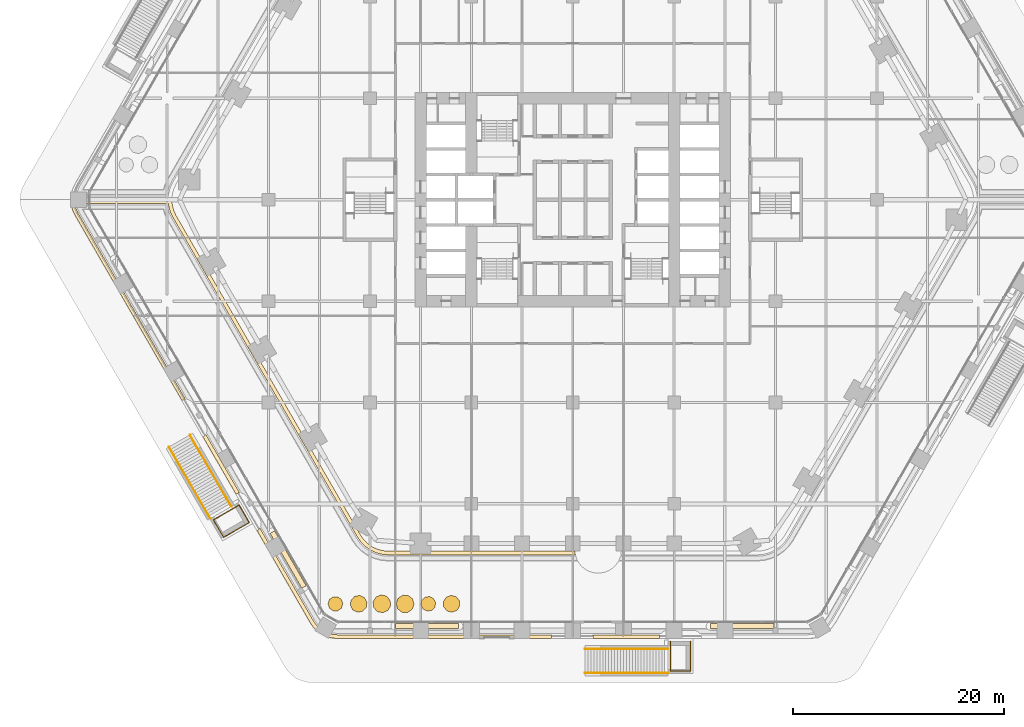
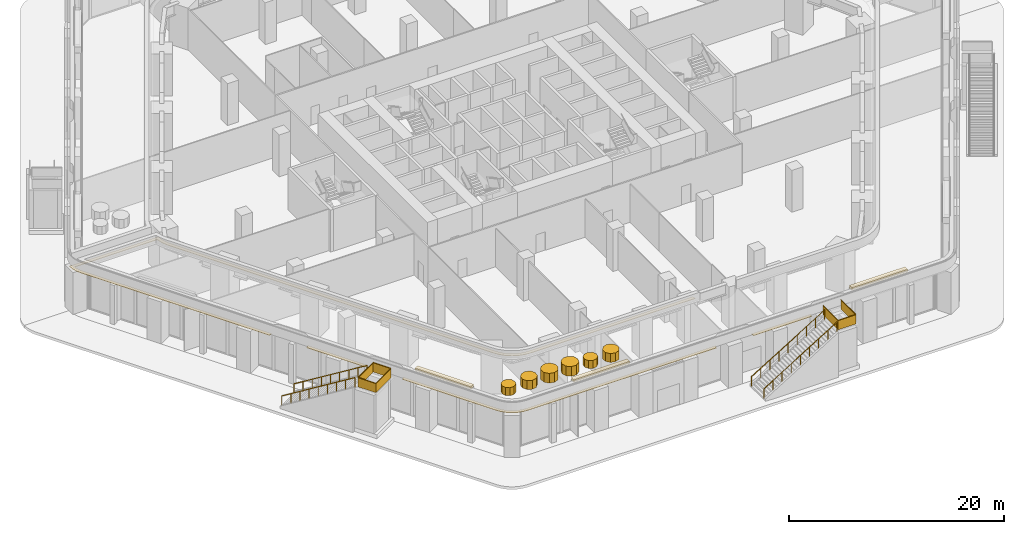
# One storey, part 28 of 34: 13 coverings, 6 railings.
"""IFC4 building model written with IfcOpenShell, lengths in metres."""

import ifcopenshell
import ifcopenshell.guid

model = None  # the IFC model being written
_history = None  # IfcOwnerHistory: only IFC2X3 demands one
_inside = {}  # id of a spatial element -> (the spatial element, [elements in it])
_under = {}  # id of a project, library or spatial element -> (it, [spatial elements below it])
_declared = {}  # id of a project -> (the project, [libraries it declares])
_typed = {}  # id of a type object -> (the type object, [elements of that type])
_made_of = {}  # id of a material, layer set ... -> (it, [elements and type objects made of it])


def new_model(schema):
    """Start an empty IFC model of exactly this schema.

    Asked for "IFC4X3", IfcOpenShell would pick the latest addendum, in which some entities
    have other attributes; the version numbers below select the first issue.
    IFC2X3 requires an IfcOwnerHistory on every rooted entity: one is made here for all.
    """
    global model, _history
    if schema == "IFC4X3":
        model = ifcopenshell.file(schema_version=(4, 3, 0, 0))
    else:
        model = ifcopenshell.file(schema=schema)
    _inside.clear()
    _under.clear()
    _declared.clear()
    _typed.clear()
    _made_of.clear()
    _history = None
    if model.schema == "IFC2X3":
        org = make("IfcOrganization", Name="unknown")
        user = make(
            "IfcPersonAndOrganization",
            ThePerson=make("IfcPerson", FamilyName="unknown"),
            TheOrganization=org,
        )
        app = make(
            "IfcApplication",
            ApplicationDeveloper=org,
            Version="unknown",
            ApplicationFullName="unknown",
            ApplicationIdentifier="unknown",
        )
        _history = make(
            "IfcOwnerHistory",
            OwningUser=user,
            OwningApplication=app,
            ChangeAction="ADDED",
            CreationDate=0,
        )
    return model


def make(cls, **values):
    """One entity of the class cls with the attributes given. An attribute that is None is left unset."""
    return model.create_entity(
        cls, **{name: value for name, value in values.items() if value is not None}
    )


def rooted(cls, **values):
    """An entity with a GlobalId (a new one), such as an element, a storey or a relation."""
    return make(cls, GlobalId=ifcopenshell.guid.new(), OwnerHistory=_history, **values)


def si_unit(unit_type, name, prefix=None):
    """IfcSIUnit, for example si_unit("LENGTHUNIT", "METRE", prefix="MILLI")."""
    return make("IfcSIUnit", UnitType=unit_type, Prefix=prefix, Name=name)


def assignment(units):
    """IfcUnitAssignment: the units of a project."""
    return None if units is None else make("IfcUnitAssignment", Units=units)


def point(xyz):
    """IfcCartesianPoint."""
    return None if xyz is None else make("IfcCartesianPoint", Coordinates=xyz)


def direction(xyz):
    """IfcDirection."""
    return None if xyz is None else make("IfcDirection", DirectionRatios=xyz)


def frame(location, z_axis=None, x_axis=None):
    """IfcAxis2Placement3D, a coordinate frame: its origin and axes. An axis left out is left unset."""
    return make(
        "IfcAxis2Placement3D",
        Location=point(location),
        Axis=direction(z_axis),
        RefDirection=direction(x_axis),
    )


def frame_2d(location, x_axis=None):
    """IfcAxis2Placement2D, a coordinate frame in the plane: its origin and x axis."""
    return make(
        "IfcAxis2Placement2D", Location=point(location), RefDirection=direction(x_axis)
    )


def origin():
    """The frame at (0, 0, 0) with its axes left unset."""
    return frame((0.0, 0.0, 0.0))


def origin_2d():
    """The frame at (0, 0) in the plane with its x axis left unset."""
    return frame_2d((0.0, 0.0))


def place(relative_to, where):
    """IfcLocalPlacement: puts the frame where relative to a parent placement (None: the world)."""
    return make(
        "IfcLocalPlacement", PlacementRelTo=relative_to, RelativePlacement=where
    )


def context(
    kind, dimensions, precision=None, world=None, true_north=None, identifier=None
):
    """IfcGeometricRepresentationContext, for example the 3D "Model" context."""
    return make(
        "IfcGeometricRepresentationContext",
        ContextIdentifier=identifier,
        ContextType=kind,
        CoordinateSpaceDimension=dimensions,
        Precision=precision,
        WorldCoordinateSystem=world,
        TrueNorth=true_north,
    )


def subcontext(parent, identifier, kind, view, scale=None):
    """IfcGeometricRepresentationSubContext, for example "Body" below "Model"."""
    return make(
        "IfcGeometricRepresentationSubContext",
        ContextIdentifier=identifier,
        ContextType=kind,
        ParentContext=parent,
        TargetScale=scale,
        TargetView=view,
    )


def project(units=None, contexts=None):
    """IfcProject with its units and contexts."""
    return rooted(
        "IfcProject",
        Name="project",
        RepresentationContexts=contexts,
        UnitsInContext=assignment(units),
    )


def spatial(cls, under=None, at=None, **own):
    """A site, building, storey or space (cls), placed at a placement, below another one or the project."""
    s = rooted(cls, ObjectPlacement=at, **own)
    if under is not None:
        _under.setdefault(under.id(), (under, []))[1].append(s)
    return s


def polyline(points):
    """IfcPolyline through the points."""
    return make("IfcPolyline", Points=[point(p) for p in points])


def profile(cls, at=None, kind="AREA", **sizes):
    """A parametric profile (cls). Its sizes go by their IFC names, for example OverallWidth=200.0."""
    return make(cls, ProfileType=kind, Position=at, **sizes)


def rectangle(**sizes):
    """IfcRectangleProfileDef."""
    return profile("IfcRectangleProfileDef", **sizes)


def circle(**sizes):
    """IfcCircleProfileDef."""
    return profile("IfcCircleProfileDef", **sizes)


def outline(outer, holes=None, kind="AREA"):
    """IfcArbitraryClosedProfileDef: a profile drawn as a closed curve; with holes, ...WithVoids."""
    if holes is None:
        return make("IfcArbitraryClosedProfileDef", ProfileType=kind, OuterCurve=outer)
    return make(
        "IfcArbitraryProfileDefWithVoids",
        ProfileType=kind,
        OuterCurve=outer,
        InnerCurves=holes,
    )


def extrude(swept, where, along, depth):
    """IfcExtrudedAreaSolid: the profile swept, set in the frame where, extruded along a direction by depth."""
    return make(
        "IfcExtrudedAreaSolid",
        SweptArea=swept,
        Position=where,
        ExtrudedDirection=direction(along),
        Depth=depth,
    )


def shape(context_of_items, identifier, shape_type, items):
    """IfcShapeRepresentation: the items that make up one representation, for example the "Body"."""
    return make(
        "IfcShapeRepresentation",
        ContextOfItems=context_of_items,
        RepresentationIdentifier=identifier,
        RepresentationType=shape_type,
        Items=items,
    )


def material(Name=None, Category=None):
    """IfcMaterial."""
    return make("IfcMaterial", Name=Name, Category=Category)


def layer(
    of_material, thickness, ventilated=None, Name=None, Category=None, Priority=None
):
    """IfcMaterialLayer: one layer of a wall or slab, of a material (None: an air gap)."""
    return make(
        "IfcMaterialLayer",
        Material=of_material,
        LayerThickness=thickness,
        IsVentilated=ventilated,
        Name=Name,
        Category=Category,
        Priority=Priority,
    )


def layer_set(layers, Name=None):
    """IfcMaterialLayerSet."""
    return make("IfcMaterialLayerSet", MaterialLayers=layers, LayerSetName=Name)


def made_of(thing, what):
    """Note that an element or type object is made of a material, layer set ...; save() writes the relation."""
    if what is not None:
        _made_of.setdefault(what.id(), (what, []))[1].append(thing)
    return thing


def type_object(cls, material=None, **own):
    """A type object (cls), such as IfcWallType, which elements share."""
    return made_of(rooted(cls, **own), material)


def element(
    cls,
    number,
    at=None,
    inside=None,
    cuts=None,
    type_object=None,
    material=None,
    context=None,
    identifier="Body",
    shape_type=None,
    held_by="IfcProductDefinitionShape",
    body=None,
    shapes=None,
    **own,
):
    """One element of the class cls, such as IfcWall. Its Tag is "e" and its number.

    at: its placement. inside: the storey or other place that contains it. cuts: it is an
    opening in that element (IfcRelVoidsElement). A single representation is given by context,
    identifier, shape_type and body (its items); several are given by shapes. held_by: the class
    of the entity that holds the representations. save() writes the other relations.
    """
    e = rooted(cls, Tag="e%d" % number, ObjectPlacement=at, **own)
    if body is not None:
        shapes = [shape(context, identifier, shape_type, body)]
    if shapes is not None:
        e.Representation = make(held_by, Representations=shapes)
    if inside is not None:
        _inside.setdefault(inside.id(), (inside, []))[1].append(e)
    if cuts is not None:
        rooted(
            "IfcRelVoidsElement", RelatingBuildingElement=cuts, RelatedOpeningElement=e
        )
    if type_object is not None:
        _typed.setdefault(type_object.id(), (type_object, []))[1].append(e)
    return made_of(e, material)


def aggregate(whole, parts):
    """IfcRelAggregates: a whole, such as a stair, and the parts it consists of."""
    return rooted("IfcRelAggregates", RelatingObject=whole, RelatedObjects=parts)


def save(model, path):
    """Write the relations noted so far, then the file.

    IfcRelAggregates (storeys below a building ...), IfcRelContainedInSpatialStructure (elements
    in a storey), IfcRelDefinesByType, IfcRelAssociatesMaterial and IfcRelDeclares: one each for
    every whole, place, type object, material and project.
    """
    for whole, parts in _under.values():
        aggregate(whole, parts)
    for where, things in _inside.values():
        rooted(
            "IfcRelContainedInSpatialStructure",
            RelatedElements=things,
            RelatingStructure=where,
        )
    for kind, things in _typed.values():
        rooted("IfcRelDefinesByType", RelatedObjects=things, RelatingType=kind)
    for what, things in _made_of.values():
        rooted("IfcRelAssociatesMaterial", RelatedObjects=things, RelatingMaterial=what)
    for by, libraries in _declared.values():
        rooted("IfcRelDeclares", RelatingContext=by, RelatedDefinitions=libraries)
    model.write(path)


model = new_model("IFC4")

# Units and contexts
model_context = context("Model", 3, precision=1e-05, world=origin(), true_north=direction((0.0, 1.0)))
body_context = subcontext(model_context, "Body", "Model", "MODEL_VIEW")
ifc_project = project(units=[si_unit("LENGTHUNIT", "METRE"), si_unit("AREAUNIT", "SQUARE_METRE"), si_unit("VOLUMEUNIT", "CUBIC_METRE"), si_unit("PLANEANGLEUNIT", "RADIAN"), si_unit("MASSUNIT", "GRAM", prefix="KILO")], contexts=[model_context])

# Site, building, storey
site_placement = place(None, origin())
site = spatial("IfcSite", under=ifc_project, at=site_placement, CompositionType="ELEMENT")
building_placement = place(site_placement, origin())
building = spatial("IfcBuilding", under=site, at=building_placement, Name="Kolab Exchange Tower", CompositionType="ELEMENT")
storey_placement = place(building_placement, frame((0.0, 0.0, 12.39990234375)))
storey = spatial("IfcBuildingStorey", under=building, at=storey_placement, Name="L02", CompositionType="ELEMENT", Elevation=12.39990234375)

# Coverings
ifc_material_1 = material(Name="Flowering shrub planting", Category="soil")
ifc_layer_1 = layer(ifc_material_1, 1.0)
ifc_layer_set_1 = layer_set([ifc_layer_1], Name="Flowering shrub planting")
covering_type_1 = type_object("IfcCoveringType", Name="FLOWERING SHRUB PLANTING", PredefinedType="USERDEFINED", material=ifc_layer_set_1)
covering_1_placement = place(storey_placement, frame((0.0, 0.0, 5.25)))
element("IfcCovering", 1, at=covering_1_placement, inside=storey, type_object=covering_type_1, Name="Flowering shrub", ObjectType="PLANTING", PredefinedType="USERDEFINED", context=body_context, shape_type="SweptSolid", body=[
    extrude(outline(polyline([(-19.490966796875, -38.10498046875), (-19.734130859375, -37.674560546875), (-20.18408203125, -37.46923828125), (-20.66845703125, -37.5673828125), (-21.0029296875, -37.931640625), (-21.05908203125, -38.4228515625), (-20.81591796875, -38.853515625), (-20.3662109375, -39.058837890625), (-19.881591796875, -38.960693359375), (-19.54736328125, -38.59619140625), (-19.490966796875, -38.10498046875)])), origin(), (0.0, 0.0, 1.0), 1.0),
])
covering_2_placement = place(storey_placement, frame((0.0, 0.0, 5.25)))
element("IfcCovering", 2, at=covering_2_placement, inside=storey, type_object=covering_type_1, Name="Flowering shrub", ObjectType="PLANTING", PredefinedType="USERDEFINED", context=body_context, shape_type="SweptSolid", body=[
    extrude(outline(polyline([(-11.04296875, -37.5908203125), (-11.521240234375, -37.46533203125), (-11.981689453125, -37.64501953125), (-12.2490234375, -38.06103515625), (-12.220458984375, -38.554443359375), (-11.907470703125, -38.937255859375), (-11.42919921875, -39.062744140625), (-10.968505859375, -38.883056640625), (-10.701416015625, -38.467041015625), (-10.729736328125, -37.973388671875), (-11.04296875, -37.5908203125)])), origin(), (0.0, 0.0, 1.0), 1.0),
])

# Railings
ifc_material_2 = material(Name="Steel S235", Category="steel")
railing_type = type_object("IfcRailingType", Name="GUARD 1100 GLASS BALUSTRADE AND STEEL TOP RAIL", PredefinedType="GUARDRAIL", material=ifc_material_2)
for number, where, name in (
    (3, (1.159912109375, -42.529296875, 0.172607421875), "Stair guard"),
    (4, (1.159912109375, -44.809326171875, 0.172607421875), "Stair guard"),
):
    element("IfcRailing", number, at=place(storey_placement, frame(where)), inside=storey, type_object=railing_type, Name=name, PredefinedType="GUARDRAIL", context=body_context, shape_type="SweptSolid", body=[
        extrude(circle(Radius=0.02490234375, at=origin_2d()), frame((0.0, 0.0, 1.0751953125), z_axis=(0.851526275914, 0.0, 0.524311931419), x_axis=(0.0, 1.0, 0.0)), (0.0, 0.0, 1.0), 9.20703125),
        extrude(circle(Radius=0.02001953125, at=origin_2d()), origin(), (0.0, 0.0, 1.0), 1.050048828125),
        extrude(circle(Radius=0.02001953125, at=origin_2d()), frame((0.97998046875, 0.0, 0.603515625)), (0.0, 0.0, 1.0), 1.050048828125),
        extrude(circle(Radius=0.02001953125, at=origin_2d()), frame((1.9599609375, 0.0, 1.206787109375)), (0.0, 0.0, 1.0), 1.050048828125),
        extrude(circle(Radius=0.02001953125, at=origin_2d()), frame((2.93994140625, 0.0, 1.810302734375)), (0.0, 0.0, 1.0), 1.050048828125),
        extrude(circle(Radius=0.02001953125, at=origin_2d()), frame((3.919921875, 0.0, 2.41357421875)), (0.0, 0.0, 1.0), 1.050048828125),
        extrude(circle(Radius=0.02001953125, at=origin_2d()), frame((4.900146484375, 0.0, 3.01708984375)), (0.0, 0.0, 1.0), 1.050048828125),
        extrude(circle(Radius=0.02001953125, at=origin_2d()), frame((5.880126953125, 0.0, 3.62060546875)), (0.0, 0.0, 1.0), 1.050048828125),
        extrude(circle(Radius=0.02001953125, at=origin_2d()), frame((6.860107421875, 0.0, 4.223876953125)), (0.0, 0.0, 1.0), 1.050048828125),
        extrude(circle(Radius=0.02001953125, at=origin_2d()), frame((7.840087890625, 0.0, 4.827392578125)), (0.0, 0.0, 1.0), 1.050048828125),
    ])
railing_1_placement = place(storey_placement, frame((11.14990234375, -41.8193359375, 5.0)))
element("IfcRailing", 5, at=railing_1_placement, inside=storey, type_object=railing_type, Name="Landing guard", PredefinedType="GUARDRAIL", context=body_context, shape_type="SweptSolid", body=[
    extrude(rectangle(XDim=0.05, YDim=0.05, at=origin_2d()), frame((0.0, 0.0, 1.0751953125), z_axis=(0.0, -1.0, 0.0), x_axis=(1.0, 0.0, 0.0)), (0.0, 0.0, 1.0), 2.7998046875),
    extrude(rectangle(XDim=0.012, YDim=1.05009765625, at=frame_2d((0.0, 0.525146484375))), frame((0.0, 0.0, 0.0), z_axis=(0.0, -1.0, 0.0), x_axis=(1.0, 0.0, 0.0)), (0.0, 0.0, 1.0), 2.7998046875),
    extrude(rectangle(XDim=0.05, YDim=0.05, at=origin_2d()), frame((0.0, -2.7998046875, 1.0751953125), z_axis=(-1.0, 0.0, 0.0), x_axis=(0.0, -1.0, 0.0)), (0.0, 0.0, 1.0), 1.90478515625),
    extrude(rectangle(XDim=0.012, YDim=1.05009765625, at=frame_2d((0.0, 0.525146484375))), frame((0.0, -2.7998046875, 0.0), z_axis=(-1.0, 0.0, 0.0), x_axis=(0.0, -1.0, 0.0)), (0.0, 0.0, 1.0), 1.90478515625),
    extrude(rectangle(XDim=0.05, YDim=0.05, at=origin_2d()), frame((-1.90478515625, -2.7998046875, 1.0751953125), z_axis=(0.0, 1.0, 0.0), x_axis=(-1.0, 0.0, 0.0)), (0.0, 0.0, 1.0), 2.7998046875),
    extrude(rectangle(XDim=0.012, YDim=1.05009765625, at=frame_2d((0.0, 0.525146484375))), frame((-1.90478515625, -2.7998046875, 0.0), z_axis=(0.0, 1.0, 0.0), x_axis=(-1.0, 0.0, 0.0)), (0.0, 0.0, 1.0), 2.7998046875),
])
railing_2_placement = place(storey_placement, frame((-36.25146484375, -22.269287109375, 0.172607421875)))
element("IfcRailing", 6, at=railing_2_placement, inside=storey, type_object=railing_type, Name="Stair guard", PredefinedType="GUARDRAIL", context=body_context, shape_type="SweptSolid", body=[
    extrude(circle(Radius=0.02490234375, at=origin_2d()), frame((0.0, 0.0, 1.0751953125), z_axis=(0.425779602582, -0.737431073539, 0.524315879794), x_axis=(0.866013415921, 0.500020763015, 0.0)), (0.0, 0.0, 1.0), 9.20703125),
    extrude(circle(Radius=0.02001953125, at=origin_2d()), origin(), (0.0, 0.0, 1.0), 1.050048828125),
    extrude(circle(Radius=0.02001953125, at=origin_2d()), frame((0.489990234375, -0.8486328125, 0.603515625)), (0.0, 0.0, 1.0), 1.050048828125),
    extrude(circle(Radius=0.02001953125, at=origin_2d()), frame((0.97998046875, -1.697265625, 1.206787109375)), (0.0, 0.0, 1.0), 1.050048828125),
    extrude(circle(Radius=0.02001953125, at=origin_2d()), frame((1.469970703125, -2.546142578125, 1.810302734375)), (0.0, 0.0, 1.0), 1.050048828125),
    extrude(circle(Radius=0.02001953125, at=origin_2d()), frame((1.9599609375, -3.394775390625, 2.41357421875)), (0.0, 0.0, 1.0), 1.050048828125),
    extrude(circle(Radius=0.02001953125, at=origin_2d()), frame((2.4501953125, -4.243408203125, 3.01708984375)), (0.0, 0.0, 1.0), 1.050048828125),
    extrude(circle(Radius=0.02001953125, at=origin_2d()), frame((2.940185546875, -5.09228515625, 3.62060546875)), (0.0, 0.0, 1.0), 1.050048828125),
    extrude(circle(Radius=0.02001953125, at=origin_2d()), frame((3.43017578125, -5.94091796875, 4.223876953125)), (0.0, 0.0, 1.0), 1.050048828125),
    extrude(circle(Radius=0.02001953125, at=origin_2d()), frame((3.920166015625, -6.78955078125, 4.827392578125)), (0.0, 0.0, 1.0), 1.050048828125),
])
railing_3_placement = place(storey_placement, frame((-38.225830078125, -23.4091796875, 0.172607421875)))
element("IfcRailing", 7, at=railing_3_placement, inside=storey, type_object=railing_type, Name="Stair guard", PredefinedType="GUARDRAIL", context=body_context, shape_type="SweptSolid", body=[
    extrude(circle(Radius=0.02490234375, at=origin_2d()), frame((0.0, 0.0, 1.0751953125), z_axis=(0.425757892633, -0.737439399235, 0.524321799391), x_axis=(0.86602690036, 0.499997407846, 0.0)), (0.0, 0.0, 1.0), 9.20703125),
    extrude(circle(Radius=0.02001953125, at=origin_2d()), origin(), (0.0, 0.0, 1.0), 1.050048828125),
    extrude(circle(Radius=0.02001953125, at=origin_2d()), frame((0.489990234375, -0.8486328125, 0.603515625)), (0.0, 0.0, 1.0), 1.050048828125),
    extrude(circle(Radius=0.02001953125, at=origin_2d()), frame((0.97998046875, -1.697265625, 1.206787109375)), (0.0, 0.0, 1.0), 1.050048828125),
    extrude(circle(Radius=0.02001953125, at=origin_2d()), frame((1.469970703125, -2.546142578125, 1.810302734375)), (0.0, 0.0, 1.0), 1.050048828125),
    extrude(circle(Radius=0.02001953125, at=origin_2d()), frame((1.9599609375, -3.394775390625, 2.41357421875)), (0.0, 0.0, 1.0), 1.050048828125),
    extrude(circle(Radius=0.02001953125, at=origin_2d()), frame((2.449951171875, -4.243408203125, 3.01708984375)), (0.0, 0.0, 1.0), 1.050048828125),
    extrude(circle(Radius=0.02001953125, at=origin_2d()), frame((2.93994140625, -5.09228515625, 3.62060546875)), (0.0, 0.0, 1.0), 1.050048828125),
    extrude(circle(Radius=0.02001953125, at=origin_2d()), frame((3.429931640625, -5.94091796875, 4.223876953125)), (0.0, 0.0, 1.0), 1.050048828125),
    extrude(circle(Radius=0.02001953125, at=origin_2d()), frame((3.919921875, -6.78955078125, 4.827392578125)), (0.0, 0.0, 1.0), 1.050048828125),
])
railing_4_placement = place(storey_placement, frame((-30.6416015625, -30.565673828125, 5.0)))
element("IfcRailing", 8, at=railing_4_placement, inside=storey, type_object=railing_type, Name="Landing guard", PredefinedType="GUARDRAIL", context=body_context, shape_type="SweptSolid", body=[
    extrude(rectangle(XDim=0.05, YDim=0.05, at=origin_2d()), frame((0.0, 0.0, 1.0751953125), z_axis=(-0.865996816683, -0.500049511043, 0.0), x_axis=(0.500049511043, -0.865996816683, 0.0)), (0.0, 0.0, 1.0), 2.800048828125),
    extrude(rectangle(XDim=0.012, YDim=1.05009765625, at=frame_2d((0.0, 0.525146484375))), frame((0.0, 0.0, 0.0), z_axis=(-0.865996816683, -0.500049511043, 0.0), x_axis=(0.500049511043, -0.865996816683, 0.0)), (0.0, 0.0, 1.0), 2.800048828125),
    extrude(rectangle(XDim=0.05, YDim=0.05, at=origin_2d()), frame((-2.4248046875, -1.400146484375, 1.0751953125), z_axis=(-0.499929534118, 0.866066083458, 0.0), x_axis=(-0.866066083458, -0.499929534118, 0.0)), (0.0, 0.0, 1.0), 1.905029296875),
    extrude(rectangle(XDim=0.012, YDim=1.05009765625, at=frame_2d((0.0, 0.525146484375))), frame((-2.4248046875, -1.400146484375, 0.0), z_axis=(-0.499929534118, 0.866066083458, 0.0), x_axis=(-0.866066083458, -0.499929534118, 0.0)), (0.0, 0.0, 1.0), 1.905029296875),
    extrude(rectangle(XDim=0.05, YDim=0.05, at=origin_2d()), frame((-3.377197265625, 0.249755859375, 1.0751953125), z_axis=(0.866034573852, 0.49998411664, 0.0), x_axis=(-0.49998411664, 0.866034573852, 0.0)), (0.0, 0.0, 1.0), 2.7998046875),
    extrude(rectangle(XDim=0.012, YDim=1.05009765625, at=frame_2d((0.0, 0.525146484375))), frame((-3.377197265625, 0.249755859375, 0.0), z_axis=(0.866034573852, 0.49998411664, 0.0), x_axis=(-0.49998411664, 0.866034573852, 0.0)), (0.0, 0.0, 1.0), 2.7998046875),
    extrude(rectangle(XDim=0.05, YDim=0.05, at=origin_2d()), frame((-0.952392578125, 1.649658203125, 1.0751953125), z_axis=(0.499985026433, -0.866034048605, 0.0), x_axis=(0.866034048605, 0.499985026433, 0.0)), (0.0, 0.0, 1.0), 1.90478515625),
    extrude(rectangle(XDim=0.012, YDim=1.05009765625, at=frame_2d((0.0, 0.525146484375))), frame((-0.952392578125, 1.649658203125, 0.0), z_axis=(0.499985026433, -0.866034048605, 0.0), x_axis=(0.866034048605, 0.499985026433, 0.0)), (0.0, 0.0, 1.0), 1.90478515625),
])

# Coverings
ifc_material_3 = material(Name="Dense shrub planting", Category="soil")
ifc_layer_2 = layer(ifc_material_3, 1.39990234375)
ifc_layer_set_2 = layer_set([ifc_layer_2], Name="Dense shrub planting")
covering_type_2 = type_object("IfcCoveringType", Name="PLANTED TRELLIS SCREEN AND SHRUB BED", PredefinedType="USERDEFINED", material=ifc_layer_set_2)
covering_3_placement = place(storey_placement, frame((0.0, 0.0, 5.25)))
element("IfcCovering", 9, at=covering_3_placement, inside=storey, type_object=covering_type_2, Name="Shrub bed", ObjectType="PLANTING", PredefinedType="USERDEFINED", context=body_context, shape_type="SweptSolid", body=[
    extrude(outline(polyline([(-21.775146484375, -38.263916015625), (-21.908935546875, -37.8525390625), (-22.2587890625, -37.598388671875), (-22.69140625, -37.598388671875), (-23.04150390625, -37.8525390625), (-23.175048828125, -38.263916015625), (-23.04150390625, -38.675537109375), (-22.69140625, -38.9296875), (-22.2587890625, -38.9296875), (-21.908935546875, -38.675537109375), (-21.775146484375, -38.263916015625)])), origin(), (0.0, 0.0, 1.0), 0.900146484375),
])
covering_4_placement = place(storey_placement, frame((0.0, 0.0, 5.25)))
element("IfcCovering", 10, at=covering_4_placement, inside=storey, type_object=covering_type_2, Name="Shrub bed", ObjectType="PLANTING", PredefinedType="USERDEFINED", context=body_context, shape_type="SweptSolid", body=[
    extrude(outline(polyline([(-17.292236328125, -37.93310546875), (-17.63623046875, -37.5361328125), (-18.14794921875, -37.417236328125), (-18.6318359375, -37.621826171875), (-18.903076171875, -38.071533203125), (-18.85791015625, -38.594970703125), (-18.513916015625, -38.991943359375), (-18.002197265625, -39.11083984375), (-17.518310546875, -38.90625), (-17.2470703125, -38.456298828125), (-17.292236328125, -37.93310546875)])), origin(), (0.0, 0.0, 1.0), 1.10009765625),
])
covering_5_placement = place(storey_placement, frame((0.0, 0.0, 5.25)))
element("IfcCovering", 11, at=covering_5_placement, inside=storey, type_object=covering_type_2, Name="Shrub bed", ObjectType="PLANTING", PredefinedType="USERDEFINED", context=body_context, shape_type="SweptSolid", body=[
    extrude(outline(polyline([(-15.173583984375, -37.7841796875), (-15.589599609375, -37.46337890625), (-16.11474609375, -37.448486328125), (-16.54833984375, -37.7451171875), (-16.724853515625, -38.239990234375), (-16.57666015625, -38.743896484375), (-16.16064453125, -39.064697265625), (-15.635498046875, -39.07958984375), (-15.201904296875, -38.782958984375), (-15.025390625, -38.2880859375), (-15.173583984375, -37.7841796875)])), origin(), (0.0, 0.0, 1.0), 1.10009765625),
])
covering_6_placement = place(storey_placement, frame((0.0, 0.0, 5.25)))
element("IfcCovering", 12, at=covering_6_placement, inside=storey, type_object=covering_type_2, Name="Shrub bed", ObjectType="PLANTING", PredefinedType="USERDEFINED", context=body_context, shape_type="SweptSolid", body=[
    extrude(outline(polyline([(-13.1875, -37.761962890625), (-13.57568359375, -37.571044921875), (-14.001953125, -37.64501953125), (-14.303466796875, -37.955322265625), (-14.36474609375, -38.383544921875), (-14.162841796875, -38.76611328125), (-13.7744140625, -38.95703125), (-13.34814453125, -38.883056640625), (-13.046875, -38.57275390625), (-12.9853515625, -38.14453125), (-13.1875, -37.761962890625)])), origin(), (0.0, 0.0, 1.0), 0.900146484375),
])
ifc_material_4 = material(Name="Planting soil and turf", Category="soil")
ifc_layer_3 = layer(ifc_material_4, 0.25)
ifc_layer_set_3 = layer_set([ifc_layer_3], Name="Planting soil and turf")
covering_type_3 = type_object("IfcCoveringType", Name="PLANTING SOIL AND TURF 250", PredefinedType="USERDEFINED", material=ifc_layer_set_3)
covering_7_placement = place(storey_placement, frame((0.0, 0.0, 5.7001953125)))
element("IfcCovering", 13, at=covering_7_placement, inside=storey, type_object=covering_type_3, Name="Planting soil and turf", ObjectType="PLANTING", PredefinedType="USERDEFINED", context=body_context, shape_type="SweptSolid", body=[
    extrude(outline(polyline([(-16.80615234375, -40.609130859375), (-16.80615234375, -40.129150390625), (-10.80615234375, -40.129150390625), (-10.80615234375, -40.609130859375), (-16.80615234375, -40.609130859375)])), origin(), (0.0, 0.0, 1.0), 0.2998046875),
])
covering_8_placement = place(storey_placement, frame((0.0, 0.0, 5.7001953125)))
element("IfcCovering", 14, at=covering_8_placement, inside=storey, type_object=covering_type_3, Name="Planting soil and turf", ObjectType="PLANTING", PredefinedType="USERDEFINED", context=body_context, shape_type="SweptSolid", body=[
    extrude(outline(polyline([(13.032958984375, -40.609130859375), (13.032958984375, -40.129150390625), (19.032958984375, -40.129150390625), (19.032958984375, -40.609130859375), (13.032958984375, -40.609130859375)])), origin(), (0.0, 0.0, 1.0), 0.2998046875),
])
covering_9_placement = place(storey_placement, frame((0.0, 0.0, 5.7001953125)))
element("IfcCovering", 15, at=covering_9_placement, inside=storey, type_object=covering_type_3, Name="Planting soil and turf", ObjectType="PLANTING", PredefinedType="USERDEFINED", context=body_context, shape_type="SweptSolid", body=[
    extrude(outline(polyline([(-28.652099609375, -31.591552734375), (-28.236572265625, -31.3515625), (-25.236572265625, -36.547607421875), (-25.652099609375, -36.78759765625), (-28.652099609375, -31.591552734375)])), origin(), (0.0, 0.0, 1.0), 0.2998046875),
])
ifc_material_5 = material(Name="Limestone coping", Category="masonry")
ifc_layer_4 = layer(ifc_material_5, 0.050048828125)
ifc_layer_set_4 = layer_set([ifc_layer_4], Name="Limestone coping")
covering_type_4 = type_object("IfcCoveringType", Name="TERRACE EDGE BAND LIMESTONE 50", PredefinedType="CLADDING", material=ifc_layer_set_4)
covering_10_placement = place(storey_placement, frame((0.0, 0.0, 5.0)))
element("IfcCovering", 16, at=covering_10_placement, inside=storey, type_object=covering_type_4, Name="Terrace edge band", PredefinedType="CLADDING", context=body_context, shape_type="SweptSolid", body=[
    extrude(outline(polyline([(-35.003173828125, -22.47119140625), (-34.9541015625, -22.439453125), (-34.892578125, -22.390625), (-34.836181640625, -22.336181640625), (-34.785400390625, -22.276123046875), (-34.7451171875, -22.218017578125), (-31.53662109375, -27.775634765625), (-31.60693359375, -27.78125), (-31.68408203125, -27.79541015625), (-31.759765625, -27.81689453125), (-31.832763671875, -27.845703125), (-31.884765625, -27.87255859375), (-35.003173828125, -22.47119140625)])), origin(), (0.0, 0.0, 1.0), 0.050048828125),
])
covering_11_placement = place(storey_placement, frame((0.0, 0.0, 5.0)))
element("IfcCovering", 17, at=covering_11_placement, inside=storey, type_object=covering_type_4, Name="Terrace edge band", PredefinedType="CLADDING", context=body_context, shape_type="SweptSolid", body=[
    extrude(outline(polyline([(-47.1162109375, -1.49072265625), (-47.336181640625, -1.019287109375), (-47.470458984375, -0.517578125), (-47.51416015625, -0.02001953125), (-37.954345703125, -0.02001953125), (-37.91015625, -0.5244140625), (-37.77392578125, -1.032958984375), (-37.5517578125, -1.50927734375), (-20.0830078125, -31.76611328125), (-19.781494140625, -32.196533203125), (-19.4091796875, -32.56884765625), (-18.97802734375, -32.870849609375), (-18.5009765625, -33.09326171875), (-17.992431640625, -33.2294921875), (-17.46875, -33.275390625), (0.205810546875, -33.275390625), (0.210693359375, -33.37109375), (0.2421875, -33.58447265625), (0.25244140625, -33.62548828125), (-17.484130859375, -33.62548828125), (-18.053466796875, -33.57568359375), (-18.62109375, -33.423583984375), (-19.153564453125, -33.175048828125), (-19.635009765625, -32.838134765625), (-20.050537109375, -32.42236328125), (-20.37841796875, -31.954345703125), (-37.862548828125, -1.6708984375), (-38.10400390625, -1.153076171875), (-38.256103515625, -0.58544921875), (-38.27490234375, -0.3701171875), (-47.132080078125, -0.3701171875), (-47.12451171875, -0.45654296875), (-47.005859375, -0.89892578125), (-46.805419921875, -1.3291015625), (-36.654052734375, -18.911865234375), (-36.724365234375, -18.91748046875), (-36.8017578125, -18.931640625), (-36.877197265625, -18.953125), (-36.9501953125, -18.98193359375), (-37.002197265625, -19.0087890625), (-47.1162109375, -1.49072265625)])), origin(), (0.0, 0.0, 1.0), 0.050048828125),
])
covering_12_placement = place(storey_placement, frame((0.0, 0.0, 5.0)))
element("IfcCovering", 18, at=covering_12_placement, inside=storey, type_object=covering_type_4, Name="Terrace edge band", PredefinedType="CLADDING", context=body_context, shape_type="SweptSolid", body=[
    extrude(outline(polyline([(-22.26708984375, -41.54931640625), (-22.785400390625, -41.50390625), (-23.287109375, -41.369384765625), (-23.7578125, -41.14990234375), (-24.183349609375, -40.85205078125), (-24.55078125, -40.484619140625), (-24.84912109375, -40.058349609375), (-29.883056640625, -31.33935546875), (-29.833984375, -31.3076171875), (-29.7724609375, -31.2587890625), (-29.716064453125, -31.2041015625), (-29.665283203125, -31.144287109375), (-29.625, -31.086181640625), (-24.5537109375, -39.8701171875), (-24.281494140625, -40.2587890625), (-23.95751953125, -40.582763671875), (-23.582275390625, -40.845703125), (-23.1669921875, -41.039306640625), (-22.724365234375, -41.157958984375), (-22.251708984375, -41.19921875), (-1.948974609375, -41.19921875), (-1.97900390625, -41.26318359375), (-2.005615234375, -41.3369140625), (-2.024658203125, -41.4130859375), (-2.0361328125, -41.49072265625), (-2.0390625, -41.54931640625), (-22.26708984375, -41.54931640625)])), origin(), (0.0, 0.0, 1.0), 0.050048828125),
])
covering_13_placement = place(storey_placement, frame((0.0, 0.0, 5.0)))
element("IfcCovering", 19, at=covering_13_placement, inside=storey, type_object=covering_type_4, Name="Terrace edge band", PredefinedType="CLADDING", context=body_context, shape_type="SweptSolid", body=[
    extrude(outline(polyline([(1.958984375, -41.54931640625), (1.9560546875, -41.49072265625), (1.944580078125, -41.4130859375), (1.925537109375, -41.3369140625), (1.899169921875, -41.26318359375), (1.868896484375, -41.19921875), (8.2861328125, -41.19921875), (8.255859375, -41.26318359375), (8.2294921875, -41.3369140625), (8.21044921875, -41.4130859375), (8.19873046875, -41.49072265625), (8.196044921875, -41.54931640625), (1.958984375, -41.54931640625)])), origin(), (0.0, 0.0, 1.0), 0.050048828125),
])

save(model, "model.ifc")
